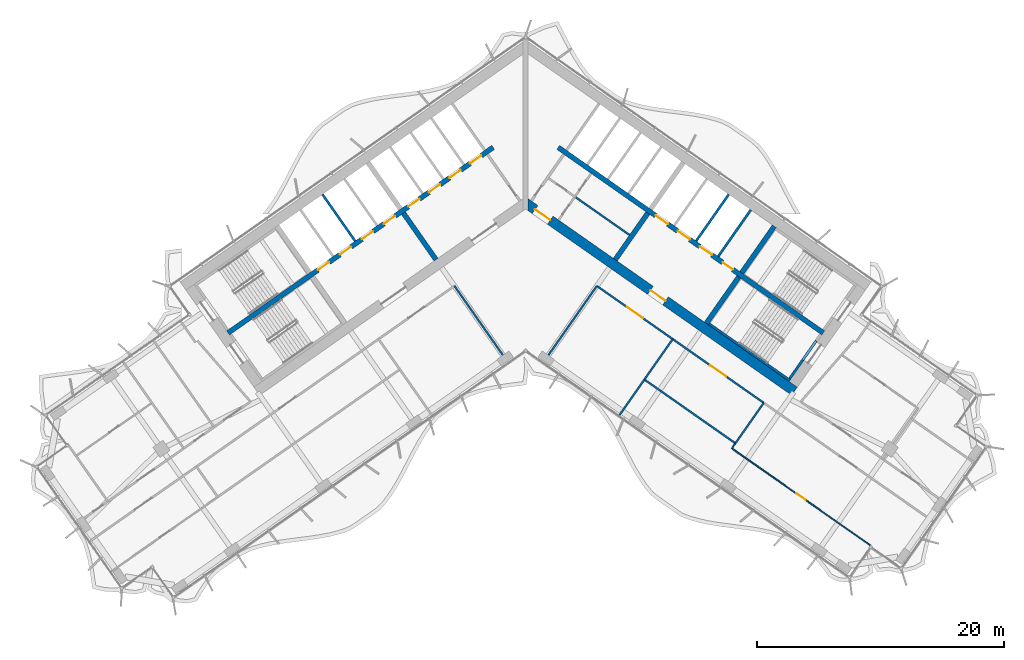
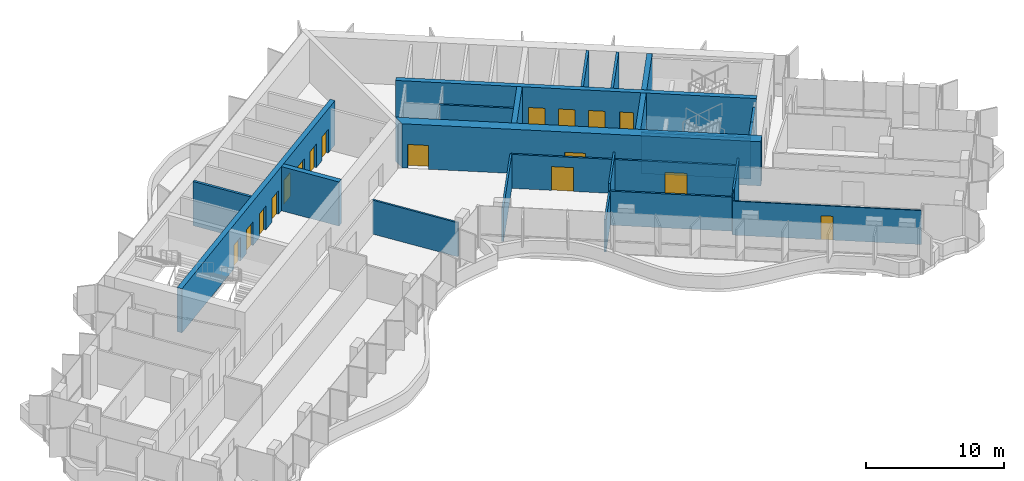
# One storey, part 13 of 21: 24 walls, 17 doors, 17 openings.
"""IFC4 building model written with IfcOpenShell, lengths in metres."""

import ifcopenshell
import ifcopenshell.guid

model = None  # the IFC model being written
_history = None  # IfcOwnerHistory: only IFC2X3 demands one
_inside = {}  # id of a spatial element -> (the spatial element, [elements in it])
_under = {}  # id of a project, library or spatial element -> (it, [spatial elements below it])
_declared = {}  # id of a project -> (the project, [libraries it declares])
_typed = {}  # id of a type object -> (the type object, [elements of that type])
_made_of = {}  # id of a material, layer set ... -> (it, [elements and type objects made of it])


def new_model(schema):
    """Start an empty IFC model of exactly this schema.

    Asked for "IFC4X3", IfcOpenShell would pick the latest addendum, in which some entities
    have other attributes; the version numbers below select the first issue.
    IFC2X3 requires an IfcOwnerHistory on every rooted entity: one is made here for all.
    """
    global model, _history
    if schema == "IFC4X3":
        model = ifcopenshell.file(schema_version=(4, 3, 0, 0))
    else:
        model = ifcopenshell.file(schema=schema)
    _inside.clear()
    _under.clear()
    _declared.clear()
    _typed.clear()
    _made_of.clear()
    _history = None
    if model.schema == "IFC2X3":
        org = make("IfcOrganization", Name="unknown")
        user = make(
            "IfcPersonAndOrganization",
            ThePerson=make("IfcPerson", FamilyName="unknown"),
            TheOrganization=org,
        )
        app = make(
            "IfcApplication",
            ApplicationDeveloper=org,
            Version="unknown",
            ApplicationFullName="unknown",
            ApplicationIdentifier="unknown",
        )
        _history = make(
            "IfcOwnerHistory",
            OwningUser=user,
            OwningApplication=app,
            ChangeAction="ADDED",
            CreationDate=0,
        )
    return model


def make(cls, **values):
    """One entity of the class cls with the attributes given. An attribute that is None is left unset."""
    return model.create_entity(
        cls, **{name: value for name, value in values.items() if value is not None}
    )


def rooted(cls, **values):
    """An entity with a GlobalId (a new one), such as an element, a storey or a relation."""
    return make(cls, GlobalId=ifcopenshell.guid.new(), OwnerHistory=_history, **values)


def si_unit(unit_type, name, prefix=None):
    """IfcSIUnit, for example si_unit("LENGTHUNIT", "METRE", prefix="MILLI")."""
    return make("IfcSIUnit", UnitType=unit_type, Prefix=prefix, Name=name)


def assignment(units):
    """IfcUnitAssignment: the units of a project."""
    return None if units is None else make("IfcUnitAssignment", Units=units)


def point(xyz):
    """IfcCartesianPoint."""
    return None if xyz is None else make("IfcCartesianPoint", Coordinates=xyz)


def direction(xyz):
    """IfcDirection."""
    return None if xyz is None else make("IfcDirection", DirectionRatios=xyz)


def frame(location, z_axis=None, x_axis=None):
    """IfcAxis2Placement3D, a coordinate frame: its origin and axes. An axis left out is left unset."""
    return make(
        "IfcAxis2Placement3D",
        Location=point(location),
        Axis=direction(z_axis),
        RefDirection=direction(x_axis),
    )


def frame_2d(location, x_axis=None):
    """IfcAxis2Placement2D, a coordinate frame in the plane: its origin and x axis."""
    return make(
        "IfcAxis2Placement2D", Location=point(location), RefDirection=direction(x_axis)
    )


def origin():
    """The frame at (0, 0, 0) with its axes left unset."""
    return frame((0.0, 0.0, 0.0))


def place(relative_to, where):
    """IfcLocalPlacement: puts the frame where relative to a parent placement (None: the world)."""
    return make(
        "IfcLocalPlacement", PlacementRelTo=relative_to, RelativePlacement=where
    )


def context(
    kind, dimensions, precision=None, world=None, true_north=None, identifier=None
):
    """IfcGeometricRepresentationContext, for example the 3D "Model" context."""
    return make(
        "IfcGeometricRepresentationContext",
        ContextIdentifier=identifier,
        ContextType=kind,
        CoordinateSpaceDimension=dimensions,
        Precision=precision,
        WorldCoordinateSystem=world,
        TrueNorth=true_north,
    )


def subcontext(parent, identifier, kind, view, scale=None):
    """IfcGeometricRepresentationSubContext, for example "Body" below "Model"."""
    return make(
        "IfcGeometricRepresentationSubContext",
        ContextIdentifier=identifier,
        ContextType=kind,
        ParentContext=parent,
        TargetScale=scale,
        TargetView=view,
    )


def project(units=None, contexts=None):
    """IfcProject with its units and contexts."""
    return rooted(
        "IfcProject",
        Name="project",
        RepresentationContexts=contexts,
        UnitsInContext=assignment(units),
    )


def spatial(cls, under=None, at=None, **own):
    """A site, building, storey or space (cls), placed at a placement, below another one or the project."""
    s = rooted(cls, ObjectPlacement=at, **own)
    if under is not None:
        _under.setdefault(under.id(), (under, []))[1].append(s)
    return s


def polyline(points):
    """IfcPolyline through the points."""
    return make("IfcPolyline", Points=[point(p) for p in points])


def profile(cls, at=None, kind="AREA", **sizes):
    """A parametric profile (cls). Its sizes go by their IFC names, for example OverallWidth=200.0."""
    return make(cls, ProfileType=kind, Position=at, **sizes)


def rectangle(**sizes):
    """IfcRectangleProfileDef."""
    return profile("IfcRectangleProfileDef", **sizes)


def outline(outer, holes=None, kind="AREA"):
    """IfcArbitraryClosedProfileDef: a profile drawn as a closed curve; with holes, ...WithVoids."""
    if holes is None:
        return make("IfcArbitraryClosedProfileDef", ProfileType=kind, OuterCurve=outer)
    return make(
        "IfcArbitraryProfileDefWithVoids",
        ProfileType=kind,
        OuterCurve=outer,
        InnerCurves=holes,
    )


def extrude(swept, where, along, depth):
    """IfcExtrudedAreaSolid: the profile swept, set in the frame where, extruded along a direction by depth."""
    return make(
        "IfcExtrudedAreaSolid",
        SweptArea=swept,
        Position=where,
        ExtrudedDirection=direction(along),
        Depth=depth,
    )


def shape(context_of_items, identifier, shape_type, items):
    """IfcShapeRepresentation: the items that make up one representation, for example the "Body"."""
    return make(
        "IfcShapeRepresentation",
        ContextOfItems=context_of_items,
        RepresentationIdentifier=identifier,
        RepresentationType=shape_type,
        Items=items,
    )


def material(Name=None, Category=None):
    """IfcMaterial."""
    return make("IfcMaterial", Name=Name, Category=Category)


def layer(
    of_material, thickness, ventilated=None, Name=None, Category=None, Priority=None
):
    """IfcMaterialLayer: one layer of a wall or slab, of a material (None: an air gap)."""
    return make(
        "IfcMaterialLayer",
        Material=of_material,
        LayerThickness=thickness,
        IsVentilated=ventilated,
        Name=Name,
        Category=Category,
        Priority=Priority,
    )


def layer_set(layers, Name=None):
    """IfcMaterialLayerSet."""
    return make("IfcMaterialLayerSet", MaterialLayers=layers, LayerSetName=Name)


def made_of(thing, what):
    """Note that an element or type object is made of a material, layer set ...; save() writes the relation."""
    if what is not None:
        _made_of.setdefault(what.id(), (what, []))[1].append(thing)
    return thing


def type_object(cls, material=None, **own):
    """A type object (cls), such as IfcWallType, which elements share."""
    return made_of(rooted(cls, **own), material)


def element(
    cls,
    number,
    at=None,
    inside=None,
    cuts=None,
    type_object=None,
    material=None,
    context=None,
    identifier="Body",
    shape_type=None,
    held_by="IfcProductDefinitionShape",
    body=None,
    shapes=None,
    **own,
):
    """One element of the class cls, such as IfcWall. Its Tag is "e" and its number.

    at: its placement. inside: the storey or other place that contains it. cuts: it is an
    opening in that element (IfcRelVoidsElement). A single representation is given by context,
    identifier, shape_type and body (its items); several are given by shapes. held_by: the class
    of the entity that holds the representations. save() writes the other relations.
    """
    e = rooted(cls, Tag="e%d" % number, ObjectPlacement=at, **own)
    if body is not None:
        shapes = [shape(context, identifier, shape_type, body)]
    if shapes is not None:
        e.Representation = make(held_by, Representations=shapes)
    if inside is not None:
        _inside.setdefault(inside.id(), (inside, []))[1].append(e)
    if cuts is not None:
        rooted(
            "IfcRelVoidsElement", RelatingBuildingElement=cuts, RelatedOpeningElement=e
        )
    if type_object is not None:
        _typed.setdefault(type_object.id(), (type_object, []))[1].append(e)
    return made_of(e, material)


def fill(opening, filler):
    """IfcRelFillsElement: the door or window that sits in an opening."""
    return rooted(
        "IfcRelFillsElement",
        RelatingOpeningElement=opening,
        RelatedBuildingElement=filler,
    )


def aggregate(whole, parts):
    """IfcRelAggregates: a whole, such as a stair, and the parts it consists of."""
    return rooted("IfcRelAggregates", RelatingObject=whole, RelatedObjects=parts)


def save(model, path):
    """Write the relations noted so far, then the file.

    IfcRelAggregates (storeys below a building ...), IfcRelContainedInSpatialStructure (elements
    in a storey), IfcRelDefinesByType, IfcRelAssociatesMaterial and IfcRelDeclares: one each for
    every whole, place, type object, material and project.
    """
    for whole, parts in _under.values():
        aggregate(whole, parts)
    for where, things in _inside.values():
        rooted(
            "IfcRelContainedInSpatialStructure",
            RelatedElements=things,
            RelatingStructure=where,
        )
    for kind, things in _typed.values():
        rooted("IfcRelDefinesByType", RelatedObjects=things, RelatingType=kind)
    for what, things in _made_of.values():
        rooted("IfcRelAssociatesMaterial", RelatedObjects=things, RelatingMaterial=what)
    for by, libraries in _declared.values():
        rooted("IfcRelDeclares", RelatingContext=by, RelatedDefinitions=libraries)
    model.write(path)


model = new_model("IFC4")

# Units and contexts
model_context = context("Model", 3, precision=1e-05, world=origin(), true_north=direction((0.0, 1.0)))
body_context = subcontext(model_context, "Body", "Model", "MODEL_VIEW")
ifc_project = project(units=[si_unit("LENGTHUNIT", "METRE"), si_unit("AREAUNIT", "SQUARE_METRE"), si_unit("VOLUMEUNIT", "CUBIC_METRE"), si_unit("PLANEANGLEUNIT", "RADIAN"), si_unit("MASSUNIT", "GRAM", prefix="KILO")], contexts=[model_context])

# Site, building, storey
site_placement = place(None, origin())
site = spatial("IfcSite", under=ifc_project, at=site_placement, CompositionType="ELEMENT")
building_placement = place(site_placement, origin())
building = spatial("IfcBuilding", under=site, at=building_placement, Name="Tel Ilan Convention Tower", CompositionType="ELEMENT")
storey_placement = place(building_placement, frame((0.0, 0.0, 159.300048828125)))
storey = spatial("IfcBuildingStorey", under=building, at=storey_placement, Name="L36", CompositionType="ELEMENT", Elevation=159.300048828125)

# Walls
ifc_material_1 = material(Name="Gypsum Plasterboard on Steel Stud", Category="steel")
ifc_layer_1 = layer(ifc_material_1, 0.14990234375)
ifc_layer_set_1 = layer_set([ifc_layer_1], Name="Core Room Partition Wall 150 mm EI 60")
wall_type_1 = type_object("IfcWallType", Name="Core Room Partition Wall 150 mm EI 60", PredefinedType="PARTITIONING", material=ifc_layer_set_1)
wall_1_placement = place(storey_placement, frame((3.989501953125, -0.22998046875, 0.0), z_axis=(0.0, 0.0, 1.0), x_axis=(0.819153326956, -0.573574604508, 0.0)))
element("IfcWall", 1, at=wall_1_placement, inside=storey, type_object=wall_type_1, Name="L36 core wall wc-h2", PredefinedType="PARTITIONING", context=body_context, shape_type="SweptSolid", body=[
    extrude(rectangle(XDim=5.400146484375, YDim=0.14990234375, at=frame_2d((2.7001953125, 0.0))), origin(), (0.0, 0.0, 1.0), 3.619873046875),
])
ifc_material_2 = material(Name="Concrete C50/60", Category="concrete")
ifc_layer_2 = layer(ifc_material_2, 0.39990234375)
ifc_layer_set_2 = layer_set([ifc_layer_2], Name="Core Shear Wall 400 mm C50/60")
wall_type_2 = type_object("IfcWallType", Name="Core Shear Wall 400 mm C50/60", PredefinedType="SHEAR", material=ifc_layer_set_2)
wall_2_placement = place(storey_placement, frame((-7.2578125, -5.325927734375, 0.0), z_axis=(0.0, 0.0, 1.0), x_axis=(-0.573540709186, 0.819177059558, 0.0)))
element("IfcWall", 2, at=wall_2_placement, inside=storey, type_object=wall_type_2, Name="L36 core wall W-cross1-1", PredefinedType="SHEAR", context=body_context, shape_type="SweptSolid", body=[
    extrude(outline(polyline([(4.599853515625, 0.2001953125), (-0.000244140625, 0.199951171875), (-0.000244140625, -0.2001953125), (4.599853515625, -0.199951171875), (4.599853515625, 0.2001953125)])), origin(), (0.0, 0.0, 1.0), 3.89990234375),
])

# Wall, openings, doors
wall_3_placement = place(storey_placement, frame((-2.638427734375, 3.76806640625, 0.0), z_axis=(0.0, 0.0, 1.0), x_axis=(-0.81915267502, -0.573575535572, 0.0)))
wall_3 = element("IfcWall", 3, at=wall_3_placement, inside=storey, type_object=wall_type_2, Name="L36 core wall W-spine", PredefinedType="SHEAR", context=body_context, shape_type="SweptSolid", body=[
    extrude(outline(polyline([(26.199951171875, 0.199951171875), (0.0, 0.199951171875), (0.0, -0.199951171875), (26.199951171875, -0.199951171875), (26.199951171875, 0.199951171875)])), origin(), (0.0, 0.0, 1.0), 3.89990234375),
])
opening_1_placement = place(wall_3_placement, frame((1.168701171875, 0.0, 0.0)))
opening_1 = element("IfcOpeningElement", 4, at=opening_1_placement, cuts=wall_3, Name="Opening LD2804", PredefinedType="OPENING", context=body_context, shape_type="SweptSolid", body=[
    extrude(rectangle(XDim=1.10009765625, YDim=2.10009765625, at=frame_2d((0.550048828125, 1.050048828125))), frame((0.0, 0.2099609375, 0.0), z_axis=(0.0, -1.0, 0.0), x_axis=(1.0, 0.0, 0.0)), (0.0, 0.0, 1.0), 0.419921875),
])
opening_2_placement = place(wall_3_placement, frame((3.206298828125, 0.0, 0.0)))
opening_2 = element("IfcOpeningElement", 5, at=opening_2_placement, cuts=wall_3, Name="Opening LD2805", PredefinedType="OPENING", context=body_context, shape_type="SweptSolid", body=[
    extrude(rectangle(XDim=1.10009765625, YDim=2.10009765625, at=frame_2d((0.550048828125, 1.050048828125))), frame((0.0, 0.2099609375, 0.0), z_axis=(0.0, -1.0, 0.0), x_axis=(1.0, 0.0, 0.0)), (0.0, 0.0, 1.0), 0.419921875),
])
opening_3_placement = place(wall_3_placement, frame((5.24365234375, 0.0, 0.0)))
opening_3 = element("IfcOpeningElement", 6, at=opening_3_placement, cuts=wall_3, Name="Opening LD2806", PredefinedType="OPENING", context=body_context, shape_type="SweptSolid", body=[
    extrude(rectangle(XDim=1.10009765625, YDim=2.10009765625, at=frame_2d((0.550048828125, 1.050048828125))), frame((0.0, 0.2099609375, 0.0), z_axis=(0.0, -1.0, 0.0), x_axis=(1.0, 0.0, 0.0)), (0.0, 0.0, 1.0), 0.419921875),
])
opening_4_placement = place(wall_3_placement, frame((7.28125, 0.0, 0.0)))
opening_4 = element("IfcOpeningElement", 7, at=opening_4_placement, cuts=wall_3, Name="Opening LD2807", PredefinedType="OPENING", context=body_context, shape_type="SweptSolid", body=[
    extrude(rectangle(XDim=1.10009765625, YDim=2.10009765625, at=frame_2d((0.550048828125, 1.050048828125))), frame((0.0, 0.2099609375, 0.0), z_axis=(0.0, -1.0, 0.0), x_axis=(1.0, 0.0, 0.0)), (0.0, 0.0, 1.0), 0.419921875),
])
opening_5_placement = place(wall_3_placement, frame((9.6875, 0.0, 0.0)))
opening_5 = element("IfcOpeningElement", 8, at=opening_5_placement, cuts=wall_3, Name="Opening LD2808", PredefinedType="OPENING", context=body_context, shape_type="SweptSolid", body=[
    extrude(rectangle(XDim=1.10009765625, YDim=2.10009765625, at=frame_2d((0.550048828125, 1.050048828125))), frame((0.0, 0.2099609375, 0.0), z_axis=(0.0, -1.0, 0.0), x_axis=(1.0, 0.0, 0.0)), (0.0, 0.0, 1.0), 0.419921875),
])
opening_6_placement = place(wall_3_placement, frame((11.862548828125, 0.0, 0.0)))
opening_6 = element("IfcOpeningElement", 9, at=opening_6_placement, cuts=wall_3, Name="Opening LD2809", PredefinedType="OPENING", context=body_context, shape_type="SweptSolid", body=[
    extrude(rectangle(XDim=1.10009765625, YDim=2.10009765625, at=frame_2d((0.550048828125, 1.050048828125))), frame((0.0, 0.2099609375, 0.0), z_axis=(0.0, -1.0, 0.0), x_axis=(1.0, 0.0, 0.0)), (0.0, 0.0, 1.0), 0.419921875),
])
opening_7_placement = place(wall_3_placement, frame((14.03759765625, 0.0, 0.0)))
opening_7 = element("IfcOpeningElement", 10, at=opening_7_placement, cuts=wall_3, Name="Opening LD2810", PredefinedType="OPENING", context=body_context, shape_type="SweptSolid", body=[
    extrude(rectangle(XDim=1.10009765625, YDim=2.10009765625, at=frame_2d((0.550048828125, 1.050048828125))), frame((0.0, 0.2099609375, 0.0), z_axis=(0.0, -1.0, 0.0), x_axis=(1.0, 0.0, 0.0)), (0.0, 0.0, 1.0), 0.419921875),
])
opening_8_placement = place(wall_3_placement, frame((16.21240234375, 0.0, 0.0)))
opening_8 = element("IfcOpeningElement", 11, at=opening_8_placement, cuts=wall_3, Name="Opening LD2811", PredefinedType="OPENING", context=body_context, shape_type="SweptSolid", body=[
    extrude(rectangle(XDim=1.10009765625, YDim=2.10009765625, at=frame_2d((0.550048828125, 1.050048828125))), frame((0.0, 0.2099609375, 0.0), z_axis=(0.0, -1.0, 0.0), x_axis=(1.0, 0.0, 0.0)), (0.0, 0.0, 1.0), 0.419921875),
])
ifc_material_3 = material(Name="Stainless Steel Sliding Door Leaf", Category="steel")
door_type_1 = type_object("IfcDoorType", Name="Lift Landing Door 1100 x 2100 FD120", OperationType="NOTDEFINED", PredefinedType="DOOR", material=ifc_material_3)
door_1_placement = place(opening_1_placement, origin())
door_1 = element("IfcDoor", 12, at=door_1_placement, inside=storey, type_object=door_type_1, Name="Lift LR1 landing door", OperationType="SLIDING_TO_LEFT", OverallHeight=2.10009765625, OverallWidth=1.10009765625, PredefinedType="DOOR", context=body_context, shape_type="SweptSolid", body=[
    extrude(rectangle(XDim=1.10009765625, YDim=2.10009765625, at=frame_2d((0.550048828125, 1.050048828125))), frame((0.0, 0.02490234375, 0.0), z_axis=(0.0, -1.0, 0.0), x_axis=(1.0, 0.0, 0.0)), (0.0, 0.0, 1.0), 0.050048828125),
])
fill(opening_1, door_1)
door_2_placement = place(opening_2_placement, origin())
door_2 = element("IfcDoor", 13, at=door_2_placement, inside=storey, type_object=door_type_1, Name="Lift LR2 landing door", OperationType="SLIDING_TO_RIGHT", OverallHeight=2.10009765625, OverallWidth=1.10009765625, PredefinedType="DOOR", context=body_context, shape_type="SweptSolid", body=[
    extrude(rectangle(XDim=1.10009765625, YDim=2.10009765625, at=frame_2d((0.550048828125, 1.050048828125))), frame((0.0, 0.02490234375, 0.0), z_axis=(0.0, -1.0, 0.0), x_axis=(1.0, 0.0, 0.0)), (0.0, 0.0, 1.0), 0.050048828125),
])
fill(opening_2, door_2)
door_3_placement = place(opening_3_placement, origin())
door_3 = element("IfcDoor", 14, at=door_3_placement, inside=storey, type_object=door_type_1, Name="Lift LR3 landing door", OperationType="SLIDING_TO_LEFT", OverallHeight=2.10009765625, OverallWidth=1.10009765625, PredefinedType="DOOR", context=body_context, shape_type="SweptSolid", body=[
    extrude(rectangle(XDim=1.10009765625, YDim=2.10009765625, at=frame_2d((0.550048828125, 1.050048828125))), frame((0.0, 0.02490234375, 0.0), z_axis=(0.0, -1.0, 0.0), x_axis=(1.0, 0.0, 0.0)), (0.0, 0.0, 1.0), 0.050048828125),
])
fill(opening_3, door_3)
door_4_placement = place(opening_4_placement, origin())
door_4 = element("IfcDoor", 15, at=door_4_placement, inside=storey, type_object=door_type_1, Name="Lift LR4 landing door", OperationType="SLIDING_TO_RIGHT", OverallHeight=2.10009765625, OverallWidth=1.10009765625, PredefinedType="DOOR", context=body_context, shape_type="SweptSolid", body=[
    extrude(rectangle(XDim=1.10009765625, YDim=2.10009765625, at=frame_2d((0.550048828125, 1.050048828125))), frame((0.0, 0.02490234375, 0.0), z_axis=(0.0, -1.0, 0.0), x_axis=(1.0, 0.0, 0.0)), (0.0, 0.0, 1.0), 0.050048828125),
])
fill(opening_4, door_4)
door_5_placement = place(opening_5_placement, origin())
door_5 = element("IfcDoor", 16, at=door_5_placement, inside=storey, type_object=door_type_1, Name="Lift LR5 landing door", OperationType="SLIDING_TO_LEFT", OverallHeight=2.10009765625, OverallWidth=1.10009765625, PredefinedType="DOOR", context=body_context, shape_type="SweptSolid", body=[
    extrude(rectangle(XDim=1.10009765625, YDim=2.10009765625, at=frame_2d((0.550048828125, 1.050048828125))), frame((0.0, 0.02490234375, 0.0), z_axis=(0.0, -1.0, 0.0), x_axis=(1.0, 0.0, 0.0)), (0.0, 0.0, 1.0), 0.050048828125),
])
fill(opening_5, door_5)
door_6_placement = place(opening_6_placement, origin())
door_6 = element("IfcDoor", 17, at=door_6_placement, inside=storey, type_object=door_type_1, Name="Lift LR6 landing door", OperationType="SLIDING_TO_RIGHT", OverallHeight=2.10009765625, OverallWidth=1.10009765625, PredefinedType="DOOR", context=body_context, shape_type="SweptSolid", body=[
    extrude(rectangle(XDim=1.10009765625, YDim=2.10009765625, at=frame_2d((0.550048828125, 1.050048828125))), frame((0.0, 0.02490234375, 0.0), z_axis=(0.0, -1.0, 0.0), x_axis=(1.0, 0.0, 0.0)), (0.0, 0.0, 1.0), 0.050048828125),
])
fill(opening_6, door_6)
door_7_placement = place(opening_7_placement, origin())
door_7 = element("IfcDoor", 18, at=door_7_placement, inside=storey, type_object=door_type_1, Name="Lift LR7 landing door", OperationType="SLIDING_TO_LEFT", OverallHeight=2.10009765625, OverallWidth=1.10009765625, PredefinedType="DOOR", context=body_context, shape_type="SweptSolid", body=[
    extrude(rectangle(XDim=1.10009765625, YDim=2.10009765625, at=frame_2d((0.550048828125, 1.050048828125))), frame((0.0, 0.02490234375, 0.0), z_axis=(0.0, -1.0, 0.0), x_axis=(1.0, 0.0, 0.0)), (0.0, 0.0, 1.0), 0.050048828125),
])
fill(opening_7, door_7)
door_8_placement = place(opening_8_placement, origin())
door_8 = element("IfcDoor", 19, at=door_8_placement, inside=storey, type_object=door_type_1, Name="Lift LR8 landing door", OperationType="SLIDING_TO_RIGHT", OverallHeight=2.10009765625, OverallWidth=1.10009765625, PredefinedType="DOOR", context=body_context, shape_type="SweptSolid", body=[
    extrude(rectangle(XDim=1.10009765625, YDim=2.10009765625, at=frame_2d((0.550048828125, 1.050048828125))), frame((0.0, 0.02490234375, 0.0), z_axis=(0.0, -1.0, 0.0), x_axis=(1.0, 0.0, 0.0)), (0.0, 0.0, 1.0), 0.050048828125),
])
fill(opening_8, door_8)

# Walls
wall_4_placement = place(storey_placement, frame((7.2578125, -5.325927734375, 0.0), z_axis=(0.0, 0.0, 1.0), x_axis=(0.573540709186, 0.819177059558, 0.0)))
element("IfcWall", 20, at=wall_4_placement, inside=storey, type_object=wall_type_2, Name="L36 core wall E-cross1-1", PredefinedType="SHEAR", context=body_context, shape_type="SweptSolid", body=[
    extrude(outline(polyline([(-0.000244140625, 0.2001953125), (-0.000244140625, -0.199951171875), (4.599853515625, -0.2001953125), (4.599853515625, 0.199951171875), (-0.000244140625, 0.2001953125)])), origin(), (0.0, 0.0, 1.0), 3.89990234375),
])
wall_5_placement = place(storey_placement, frame((14.6298828125, -10.48828125, 0.0), z_axis=(0.0, 0.0, 1.0), x_axis=(0.573611936273, 0.819127185829, 0.0)))
element("IfcWall", 21, at=wall_5_placement, inside=storey, type_object=wall_type_2, Name="L36 core wall E-cross2-1", PredefinedType="SHEAR", context=body_context, shape_type="SweptSolid", body=[
    extrude(outline(polyline([(0.000244140625, 0.199951171875), (0.000244140625, -0.2001953125), (4.60009765625, -0.199951171875), (4.60009765625, 0.2001953125), (0.000244140625, 0.199951171875)])), origin(), (0.0, 0.0, 1.0), 3.89990234375),
])
wall_6_placement = place(storey_placement, frame((17.497802734375, -6.392333984375, 0.0), z_axis=(0.0, 0.0, 1.0), x_axis=(0.573611936273, 0.819127185829, 0.0)))
element("IfcWall", 22, at=wall_6_placement, inside=storey, type_object=wall_type_2, Name="L36 core wall E-cross2-2", PredefinedType="SHEAR", context=body_context, shape_type="SweptSolid", body=[
    extrude(outline(polyline([(4.599853515625, -0.199951171875), (4.599853515625, 0.2001953125), (0.0, 0.199951171875), (0.0, -0.2001953125), (4.599853515625, -0.199951171875)])), origin(), (0.0, 0.0, 1.0), 3.89990234375),
])

# Wall, openings, doors
wall_7_placement = place(storey_placement, frame((2.638427734375, 3.76806640625, 0.0), z_axis=(0.0, 0.0, 1.0), x_axis=(0.81915267502, -0.573575535572, 0.0)))
wall_7 = element("IfcWall", 23, at=wall_7_placement, inside=storey, type_object=wall_type_2, Name="L36 core wall E-spine", PredefinedType="SHEAR", context=body_context, shape_type="SweptSolid", body=[
    extrude(outline(polyline([(0.0, 0.199951171875), (0.0, -0.199951171875), (26.199951171875, -0.199951171875), (26.199951171875, 0.199951171875), (0.0, 0.199951171875)])), origin(), (0.0, 0.0, 1.0), 3.89990234375),
])
opening_9_placement = place(wall_7_placement, frame((9.637451171875, 0.0, 0.0)))
opening_9 = element("IfcOpeningElement", 24, at=opening_9_placement, cuts=wall_7, Name="Opening LD2801", PredefinedType="OPENING", context=body_context, shape_type="SweptSolid", body=[
    extrude(rectangle(XDim=1.199951171875, YDim=2.10009765625, at=frame_2d((0.60009765625, 1.050048828125))), frame((0.0, 0.2099609375, 0.0), z_axis=(0.0, -1.0, 0.0), x_axis=(1.0, 0.0, 0.0)), (0.0, 0.0, 1.0), 0.419921875),
])
opening_10_placement = place(wall_7_placement, frame((11.8125, 0.0, 0.0)))
opening_10 = element("IfcOpeningElement", 25, at=opening_10_placement, cuts=wall_7, Name="Opening LD2802", PredefinedType="OPENING", context=body_context, shape_type="SweptSolid", body=[
    extrude(rectangle(XDim=1.199951171875, YDim=2.10009765625, at=frame_2d((0.60009765625, 1.050048828125))), frame((0.0, 0.2099609375, 0.0), z_axis=(0.0, -1.0, 0.0), x_axis=(1.0, 0.0, 0.0)), (0.0, 0.0, 1.0), 0.419921875),
])
opening_11_placement = place(wall_7_placement, frame((13.987548828125, 0.0, 0.0)))
opening_11 = element("IfcOpeningElement", 26, at=opening_11_placement, cuts=wall_7, Name="Opening LD2803", PredefinedType="OPENING", context=body_context, shape_type="SweptSolid", body=[
    extrude(rectangle(XDim=1.199951171875, YDim=2.10009765625, at=frame_2d((0.60009765625, 1.050048828125))), frame((0.0, 0.2099609375, 0.0), z_axis=(0.0, -1.0, 0.0), x_axis=(1.0, 0.0, 0.0)), (0.0, 0.0, 1.0), 0.419921875),
])
opening_12_placement = place(wall_7_placement, frame((16.262451171875, 0.0, 0.0)))
opening_12 = element("IfcOpeningElement", 27, at=opening_12_placement, cuts=wall_7, Name="Opening CD2807", PredefinedType="OPENING", context=body_context, shape_type="SweptSolid", body=[
    extrude(rectangle(XDim=1.0, YDim=2.10009765625, at=frame_2d((0.5, 1.050048828125))), frame((0.0, 0.2099609375, 0.0), z_axis=(0.0, -1.0, 0.0), x_axis=(1.0, 0.0, 0.0)), (0.0, 0.0, 1.0), 0.419921875),
])
ifc_material_4 = material(Name="Stainless Steel Sliding Door Leaf", Category="steel")
door_type_2 = type_object("IfcDoorType", Name="Lift Landing Door 1200 x 2100 FD120", OperationType="NOTDEFINED", PredefinedType="DOOR", material=ifc_material_4)
door_9_placement = place(opening_9_placement, origin())
door_9 = element("IfcDoor", 28, at=door_9_placement, inside=storey, type_object=door_type_2, Name="Lift FL1 landing door", OperationType="SLIDING_TO_LEFT", OverallHeight=2.10009765625, OverallWidth=1.199951171875, PredefinedType="DOOR", context=body_context, shape_type="SweptSolid", body=[
    extrude(rectangle(XDim=1.199951171875, YDim=2.10009765625, at=frame_2d((0.60009765625, 1.050048828125))), frame((0.0, 0.02490234375, 0.0), z_axis=(0.0, -1.0, 0.0), x_axis=(1.0, 0.0, 0.0)), (0.0, 0.0, 1.0), 0.050048828125),
])
fill(opening_9, door_9)
door_10_placement = place(opening_10_placement, origin())
door_10 = element("IfcDoor", 29, at=door_10_placement, inside=storey, type_object=door_type_2, Name="Lift FL2 landing door", OperationType="SLIDING_TO_RIGHT", OverallHeight=2.10009765625, OverallWidth=1.199951171875, PredefinedType="DOOR", context=body_context, shape_type="SweptSolid", body=[
    extrude(rectangle(XDim=1.199951171875, YDim=2.10009765625, at=frame_2d((0.60009765625, 1.050048828125))), frame((0.0, 0.02490234375, 0.0), z_axis=(0.0, -1.0, 0.0), x_axis=(1.0, 0.0, 0.0)), (0.0, 0.0, 1.0), 0.050048828125),
])
fill(opening_10, door_10)
door_11_placement = place(opening_11_placement, origin())
door_11 = element("IfcDoor", 30, at=door_11_placement, inside=storey, type_object=door_type_2, Name="Lift FL3 landing door", OperationType="SLIDING_TO_LEFT", OverallHeight=2.10009765625, OverallWidth=1.199951171875, PredefinedType="DOOR", context=body_context, shape_type="SweptSolid", body=[
    extrude(rectangle(XDim=1.199951171875, YDim=2.10009765625, at=frame_2d((0.60009765625, 1.050048828125))), frame((0.0, 0.02490234375, 0.0), z_axis=(0.0, -1.0, 0.0), x_axis=(1.0, 0.0, 0.0)), (0.0, 0.0, 1.0), 0.050048828125),
])
fill(opening_11, door_11)
ifc_material_5 = material(Name="Galvanised Steel Door Leaf", Category="steel")
door_type_3 = type_object("IfcDoorType", Name="Service Room Door 1000 x 2100 FD60", OperationType="NOTDEFINED", PredefinedType="DOOR", material=ifc_material_5)
door_12_placement = place(opening_12_placement, origin())
door_12 = element("IfcDoor", 31, at=door_12_placement, inside=storey, type_object=door_type_3, Name="Plant Room door", OperationType="SINGLE_SWING_RIGHT", OverallHeight=2.10009765625, OverallWidth=1.0, PredefinedType="DOOR", context=body_context, shape_type="SweptSolid", body=[
    extrude(rectangle(XDim=1.0, YDim=2.10009765625, at=frame_2d((0.5, 1.050048828125))), frame((0.0, 0.02490234375, 0.0), z_axis=(0.0, -1.0, 0.0), x_axis=(1.0, 0.0, 0.0)), (0.0, 0.0, 1.0), 0.050048828125),
])
fill(opening_12, door_12)

ifc_material_6 = material(Name="Concrete C50/60", Category="concrete")
ifc_layer_3 = layer(ifc_material_6, 0.800048828125)
ifc_layer_set_3 = layer_set([ifc_layer_3], Name="Core Shear Wall 800 mm C50/60")
wall_type_3 = type_object("IfcWallType", Name="Core Shear Wall 800 mm C50/60", PredefinedType="SHEAR", material=ifc_layer_set_3)
wall_8_placement = place(storey_placement, frame((-0.029296875, -0.7119140625, 0.0), z_axis=(0.0, 0.0, 1.0), x_axis=(0.819151758019, -0.573576845187, 0.0)))
wall_8 = element("IfcWall", 32, at=wall_8_placement, inside=storey, type_object=wall_type_3, Name="L36 core wall E-front", PredefinedType="SHEAR", context=body_context, shape_type="SweptSolid", body=[
    extrude(outline(polyline([(26.61572265625, 0.39990234375), (-0.000244140625, 0.39990234375), (0.56005859375, -0.39990234375), (26.61572265625, -0.39990234375), (26.61572265625, 0.39990234375)])), origin(), (0.0, 0.0, 1.0), 3.89990234375),
])
opening_13_placement = place(wall_8_placement, frame((0.9658203125, 0.0, 0.0)))
opening_13 = element("IfcOpeningElement", 33, at=opening_13_placement, cuts=wall_8, Name="Opening CD2803", PredefinedType="OPENING", context=body_context, shape_type="SweptSolid", body=[
    extrude(rectangle(XDim=1.5, YDim=2.10009765625, at=frame_2d((0.75, 1.050048828125))), frame((0.0, 0.409912109375, 0.0), z_axis=(0.0, -1.0, 0.0), x_axis=(1.0, 0.0, 0.0)), (0.0, 0.0, 1.0), 0.820068359375),
])
opening_14_placement = place(wall_8_placement, frame((12.36572265625, 0.0, 0.0)))
opening_14 = element("IfcOpeningElement", 34, at=opening_14_placement, cuts=wall_8, Name="Opening CD2804", PredefinedType="OPENING", context=body_context, shape_type="SweptSolid", body=[
    extrude(rectangle(XDim=1.5, YDim=2.10009765625, at=frame_2d((0.75, 1.050048828125))), frame((0.0, 0.409912109375, 0.0), z_axis=(0.0, -1.0, 0.0), x_axis=(1.0, 0.0, 0.0)), (0.0, 0.0, 1.0), 0.820068359375),
])
ifc_material_7 = material(Name="Glazed Aluminium Door Leaf", Category="aluminium")
door_type_4 = type_object("IfcDoorType", Name="Lobby Opening Door 1500 x 2100 FD60S", OperationType="NOTDEFINED", PredefinedType="DOOR", material=ifc_material_7)
door_13_placement = place(opening_14_placement, origin())
door_13 = element("IfcDoor", 35, at=door_13_placement, inside=storey, type_object=door_type_4, Name="Firefighting Lobby door", OperationType="DOUBLE_DOOR_SINGLE_SWING", OverallHeight=2.10009765625, OverallWidth=1.5, PredefinedType="DOOR", context=body_context, shape_type="SweptSolid", body=[
    extrude(rectangle(XDim=1.5, YDim=2.10009765625, at=frame_2d((0.75, 1.050048828125))), frame((0.0, 0.02490234375, 0.0), z_axis=(0.0, -1.0, 0.0), x_axis=(1.0, 0.0, 0.0)), (0.0, 0.0, 1.0), 0.050048828125),
])
fill(opening_14, door_13)
ifc_material_8 = material(Name="Laminated Timber Door Leaf", Category="wood")
door_type_5 = type_object("IfcDoorType", Name="Toilet Door 1500 x 2100 FD30S", OperationType="NOTDEFINED", PredefinedType="DOOR", material=ifc_material_8)
door_14_placement = place(opening_13_placement, origin())
door_14 = element("IfcDoor", 36, at=door_14_placement, inside=storey, type_object=door_type_5, Name="WC Lobby door", OperationType="SINGLE_SWING_RIGHT", OverallHeight=2.10009765625, OverallWidth=1.5, PredefinedType="DOOR", context=body_context, shape_type="SweptSolid", body=[
    extrude(rectangle(XDim=1.5, YDim=2.10009765625, at=frame_2d((0.75, 1.050048828125))), frame((0.0, 0.02490234375, 0.0), z_axis=(0.0, -1.0, 0.0), x_axis=(1.0, 0.0, 0.0)), (0.0, 0.0, 1.0), 0.050048828125),
])
fill(opening_13, door_14)

# Wall, opening, door
ifc_material_9 = material(Name="Plasterboard on Steel Studs", Category="steel")
ifc_layer_4 = layer(ifc_material_9, 0.14990234375)
ifc_layer_set_4 = layer_set([ifc_layer_4], Name="Fire-rated Partition 150 EI 60")
wall_type_4 = type_object("IfcWallType", Name="Fire-rated Partition 150 EI 60", PredefinedType="PARTITIONING", material=ifc_layer_set_4)
wall_9_placement = place(storey_placement, frame((11.91162109375, -11.7587890625, 0.0), z_axis=(0.0, 0.0, 1.0), x_axis=(-0.819150881364, 0.573578097177, 0.0)))
wall_9 = element("IfcWall", 37, at=wall_9_placement, inside=storey, type_object=wall_type_4, Name="Partition 003", PredefinedType="PARTITIONING", context=body_context, shape_type="SweptSolid", body=[
    extrude(rectangle(XDim=7.501953125, YDim=0.14990234375, at=frame_2d((3.7509765625, 0.0))), origin(), (0.0, 0.0, 1.0), 3.0),
])
opening_15_placement = place(wall_9_placement, frame((2.950927734375, 0.0, 0.0)))
opening_15 = element("IfcOpeningElement", 38, at=opening_15_placement, cuts=wall_9, Name="Opening L36-010", PredefinedType="OPENING", context=body_context, shape_type="SweptSolid", body=[
    extrude(rectangle(XDim=1.60009765625, YDim=2.10009765625, at=frame_2d((0.800048828125, 1.050048828125))), frame((0.0, 0.0849609375, 0.0), z_axis=(0.0, -1.0, 0.0), x_axis=(1.0, 0.0, 0.0)), (0.0, 0.0, 1.0), 0.169921875),
])
ifc_material_10 = material(Name="Timber Door Leaf in Steel Frame", Category="steel")
door_type_6 = type_object("IfcDoorType", Name="Tenant Suite Entrance Fire Door 1600x2100", OperationType="NOTDEFINED", PredefinedType="DOOR", material=ifc_material_10)
door_15_placement = place(opening_15_placement, origin())
door_15 = element("IfcDoor", 39, at=door_15_placement, inside=storey, type_object=door_type_6, Name="Door L36-010", OperationType="DOUBLE_DOOR_SINGLE_SWING", OverallHeight=2.10009765625, OverallWidth=1.60009765625, PredefinedType="DOOR", context=body_context, shape_type="SweptSolid", body=[
    extrude(rectangle(XDim=1.60009765625, YDim=2.10009765625, at=frame_2d((0.800048828125, 1.050048828125))), frame((0.0, 0.02490234375, 0.0), z_axis=(0.0, -1.0, 0.0), x_axis=(1.0, 0.0, 0.0)), (0.0, 0.0, 1.0), 0.050048828125),
])
fill(opening_15, door_15)

wall_10_placement = place(storey_placement, frame((19.283935546875, -16.9208984375, 0.0), z_axis=(0.0, 0.0, 1.0), x_axis=(-0.819155480642, 0.5735715287, 0.0)))
wall_10 = element("IfcWall", 40, at=wall_10_placement, inside=storey, type_object=wall_type_4, Name="Partition 004", PredefinedType="PARTITIONING", context=body_context, shape_type="SweptSolid", body=[
    extrude(rectangle(XDim=9.003662109375, YDim=0.14990234375, at=frame_2d((4.501953125, 0.0))), origin(), (0.0, 0.0, 1.0), 3.0),
])
opening_16_placement = place(wall_10_placement, frame((3.701904296875, 0.0, 0.0)))
opening_16 = element("IfcOpeningElement", 41, at=opening_16_placement, cuts=wall_10, Name="Opening L36-011", PredefinedType="OPENING", context=body_context, shape_type="SweptSolid", body=[
    extrude(rectangle(XDim=1.60009765625, YDim=2.10009765625, at=frame_2d((0.800048828125, 1.050048828125))), frame((0.0, 0.0849609375, 0.0), z_axis=(0.0, -1.0, 0.0), x_axis=(1.0, 0.0, 0.0)), (0.0, 0.0, 1.0), 0.169921875),
])
door_16_placement = place(opening_16_placement, origin())
door_16 = element("IfcDoor", 42, at=door_16_placement, inside=storey, type_object=door_type_6, Name="Door L36-011", OperationType="DOUBLE_DOOR_SINGLE_SWING", OverallHeight=2.10009765625, OverallWidth=1.60009765625, PredefinedType="DOOR", context=body_context, shape_type="SweptSolid", body=[
    extrude(rectangle(XDim=1.60009765625, YDim=2.10009765625, at=frame_2d((0.800048828125, 1.050048828125))), frame((0.0, 0.02490234375, 0.0), z_axis=(0.0, -1.0, 0.0), x_axis=(1.0, 0.0, 0.0)), (0.0, 0.0, 1.0), 0.050048828125),
])
fill(opening_16, door_16)

# Walls
wall_11_placement = place(storey_placement, frame((11.909912109375, -11.757568359375, 0.0), z_axis=(0.0, 0.0, 1.0), x_axis=(-0.573560601885, -0.819163131473, 0.0)))
element("IfcWall", 43, at=wall_11_placement, inside=storey, type_object=wall_type_4, Name="Partition 021", PredefinedType="PARTITIONING", context=body_context, shape_type="SweptSolid", body=[
    extrude(rectangle(XDim=4.001953125, YDim=0.14990234375, at=frame_2d((2.0009765625, 0.0))), origin(), (0.0, 0.0, 1.0), 3.619873046875),
])
wall_12_placement = place(storey_placement, frame((9.6162109375, -15.033447265625, 0.0), z_axis=(0.0, 0.0, 1.0), x_axis=(-0.573560622794, -0.819163116834, 0.0)))
element("IfcWall", 44, at=wall_12_placement, inside=storey, type_object=wall_type_4, Name="Partition 022", PredefinedType="PARTITIONING", context=body_context, shape_type="SweptSolid", body=[
    extrude(rectangle(XDim=3.5009765625, YDim=0.14990234375, at=frame_2d((1.75048828125, 0.0))), origin(), (0.0, 0.0, 1.0), 2.89990234375),
])
wall_13_placement = place(storey_placement, frame((1.848876953125, -13.050537109375, 0.0), z_axis=(0.0, 0.0, 1.0), x_axis=(0.573577493031, 0.819151304393, 0.0)))
element("IfcWall", 45, at=wall_13_placement, inside=storey, type_object=wall_type_4, Name="Partition 023", PredefinedType="PARTITIONING", context=body_context, shape_type="SweptSolid", body=[
    extrude(rectangle(XDim=6.829833984375, YDim=0.14990234375, at=frame_2d((3.4150390625, 0.0))), origin(), (0.0, 0.0, 1.0), 3.0),
])
wall_14_placement = place(storey_placement, frame((16.988037109375, -20.1962890625, 0.0), z_axis=(0.0, 0.0, 1.0), x_axis=(-0.819154173185, 0.573573395961, 0.0)))
element("IfcWall", 46, at=wall_14_placement, inside=storey, type_object=wall_type_4, Name="Partition 024", PredefinedType="PARTITIONING", context=body_context, shape_type="SweptSolid", body=[
    extrude(rectangle(XDim=9.0, YDim=0.14990234375, at=frame_2d((4.5, 0.0))), origin(), (0.0, 0.0, 1.0), 3.0),
])
wall_15_placement = place(storey_placement, frame((19.282470703125, -16.919921875, 0.0), z_axis=(0.0, 0.0, 1.0), x_axis=(-0.573626190743, -0.819117203636, 0.0)))
element("IfcWall", 47, at=wall_15_placement, inside=storey, type_object=wall_type_4, Name="Partition 025", PredefinedType="PARTITIONING", context=body_context, shape_type="SweptSolid", body=[
    extrude(rectangle(XDim=3.999755859375, YDim=0.14990234375, at=frame_2d((2.0, 0.0))), origin(), (0.0, 0.0, 1.0), 3.619873046875),
])
wall_16_placement = place(storey_placement, frame((-1.848876953125, -13.050537109375, 0.0), z_axis=(0.0, 0.0, 1.0), x_axis=(-0.57357985571, 0.819149650018, 0.0)))
element("IfcWall", 48, at=wall_16_placement, inside=storey, type_object=wall_type_4, Name="Partition 028", PredefinedType="PARTITIONING", context=body_context, shape_type="SweptSolid", body=[
    extrude(rectangle(XDim=6.83203125, YDim=0.14990234375, at=frame_2d((3.416015625, 0.0))), origin(), (0.0, 0.0, 1.0), 3.0),
])
ifc_material_11 = material(Name="Concrete C30/37", Category="concrete")
ifc_layer_5 = layer(ifc_material_11, 0.199951171875)
ifc_layer_set_5 = layer_set([ifc_layer_5], Name="Lift Shaft Wall 200 mm C30/37")
wall_type_5 = type_object("IfcWallType", Name="Lift Shaft Wall 200 mm C30/37", PredefinedType="SOLIDWALL", material=ifc_layer_set_5)
for number, where, z_axis, x_axis, name in (
    (49, (-13.811767578125, -3.811279296875, 0.0), (0.0, 0.0, 1.0), (-0.573576324356, 0.819152122709, 0.0), "L36 core wall bank-W2-p1"),
    (50, (13.811767578125, -3.811279296875, 0.0), (0.0, 0.0, 1.0), (0.573576324356, 0.819152122709, 0.0), "L36 core wall bank-E2-p1"),
    (51, (15.593505859375, -5.058837890625, 0.0), (0.0, 0.0, 1.0), (0.573540709186, 0.819177059558, 0.0), "L36 core wall bank-E2-p2"),
):
    element("IfcWall", number, at=place(storey_placement, frame(where, z_axis=z_axis, x_axis=x_axis)), inside=storey, type_object=wall_type_5, Name=name, PredefinedType="SOLIDWALL", context=body_context, shape_type="SweptSolid", body=[
        extrude(rectangle(XDim=4.599853515625, YDim=0.199951171875, at=frame_2d((2.2998046875, 0.0))), origin(), (0.0, 0.0, 1.0), 3.89990234375),
    ])
ifc_material_12 = material(Name="Plasterboard on Steel Studs", Category="steel")
ifc_layer_6 = layer(ifc_material_12, 0.10009765625)
ifc_layer_set_6 = layer_set([ifc_layer_6], Name="Plasterboard Partition 100")
wall_type_6 = type_object("IfcWallType", Name="Plasterboard Partition 100", PredefinedType="PARTITIONING", material=ifc_layer_set_6)
wall_17_placement = place(storey_placement, frame((16.70068359375, -20.606689453125, 0.0), z_axis=(0.0, 0.0, 1.0), x_axis=(0.573822822947, 0.818979467304, 0.0)))
element("IfcWall", 52, at=wall_17_placement, inside=storey, type_object=wall_type_6, Name="Partition 026", PredefinedType="PARTITIONING", context=body_context, shape_type="SweptSolid", body=[
    extrude(rectangle(XDim=0.5, YDim=0.10009765625, at=frame_2d((0.25, 0.0))), origin(), (0.0, 0.0, 1.0), 3.619873046875),
])

# Wall, opening, door
wall_18_placement = place(storey_placement, frame((27.923095703125, -28.46484375, 0.0), z_axis=(0.0, 0.0, 1.0), x_axis=(-0.81914735472, 0.573583133691, 0.0)))
wall_18 = element("IfcWall", 53, at=wall_18_placement, inside=storey, type_object=wall_type_6, Name="Partition 027", PredefinedType="PARTITIONING", context=body_context, shape_type="SweptSolid", body=[
    extrude(rectangle(XDim=13.7001953125, YDim=0.10009765625, at=frame_2d((6.85009765625, 0.0))), origin(), (0.0, 0.0, 1.0), 3.0),
])
opening_17_placement = place(wall_18_placement, frame((6.39990234375, 0.0, 0.0)))
opening_17 = element("IfcOpeningElement", 54, at=opening_17_placement, cuts=wall_18, Name="Opening L36-013", PredefinedType="OPENING", context=body_context, shape_type="SweptSolid", body=[
    extrude(rectangle(XDim=0.89990234375, YDim=2.10009765625, at=frame_2d((0.449951171875, 1.050048828125))), frame((0.0, 0.06005859375, 0.0), z_axis=(0.0, -1.0, 0.0), x_axis=(1.0, 0.0, 0.0)), (0.0, 0.0, 1.0), 0.1201171875),
])
ifc_material_13 = material(Name="Timber Door Leaf in Steel Frame", Category="steel")
door_type_7 = type_object("IfcDoorType", Name="Room Timber Door 900x2100", OperationType="NOTDEFINED", PredefinedType="DOOR", material=ifc_material_13)
door_17_placement = place(opening_17_placement, origin())
door_17 = element("IfcDoor", 55, at=door_17_placement, inside=storey, type_object=door_type_7, Name="Door L36-013", OperationType="SINGLE_SWING_RIGHT", OverallHeight=2.10009765625, OverallWidth=0.89990234375, PredefinedType="DOOR", context=body_context, shape_type="SweptSolid", body=[
    extrude(rectangle(XDim=0.89990234375, YDim=2.10009765625, at=frame_2d((0.449951171875, 1.050048828125))), frame((0.0, 0.02490234375, 0.0), z_axis=(0.0, -1.0, 0.0), x_axis=(1.0, 0.0, 0.0)), (0.0, 0.0, 1.0), 0.050048828125),
])
fill(opening_17, door_17)

# Walls
ifc_material_14 = material(Name="Concrete C30/37", Category="concrete")
ifc_layer_7 = layer(ifc_material_14, 0.199951171875)
ifc_layer_set_7 = layer_set([ifc_layer_7], Name="Stair and Shaft Lining Wall 200 mm C30/37")
wall_type_7 = type_object("IfcWallType", Name="Stair and Shaft Lining Wall 200 mm C30/37", PredefinedType="SOLIDWALL", material=ifc_layer_set_7)
wall_19_placement = place(storey_placement, frame((14.851318359375, -10.52099609375, 0.0), z_axis=(0.0, 0.0, 1.0), x_axis=(0.819141584393, -0.57359137434, 0.0)))
element("IfcWall", 56, at=wall_19_placement, inside=storey, type_object=wall_type_7, Name="L36 core wall lining-S4-t0", PredefinedType="SOLIDWALL", context=body_context, shape_type="SweptSolid", body=[
    extrude(rectangle(XDim=7.999755859375, YDim=0.199951171875, at=frame_2d((4.0, 0.0))), origin(), (0.0, 0.0, 1.0), 3.619873046875),
])
wall_20_placement = place(storey_placement, frame((21.3798828125, -14.97021484375, 0.0), z_axis=(0.0, 0.0, 1.0), x_axis=(0.573559770908, 0.819163713305, 0.0)))
element("IfcWall", 57, at=wall_20_placement, inside=storey, type_object=wall_type_7, Name="L36 core wall lining-S4-u1-0", PredefinedType="SOLIDWALL", context=body_context, shape_type="SweptSolid", body=[
    extrude(rectangle(XDim=1.849853515625, YDim=0.199951171875, at=frame_2d((0.9248046875, 0.0))), origin(), (0.0, 0.0, 1.0), 3.619873046875),
])
wall_21_placement = place(storey_placement, frame((22.44091796875, -13.454833984375, 2.14990234375), z_axis=(0.0, 0.0, 1.0), x_axis=(0.573591692345, 0.819141361715, 0.0)))
element("IfcWall", 58, at=wall_21_placement, inside=storey, type_object=wall_type_7, Name="L36 core wall lining-S4-u1-lintel", PredefinedType="SOLIDWALL", context=body_context, shape_type="SweptSolid", body=[
    extrude(rectangle(XDim=1.900146484375, YDim=0.199951171875, at=frame_2d((0.9501953125, 0.0))), origin(), (0.0, 0.0, 1.0), 1.469970703125),
])

save(model, "model.ifc")
